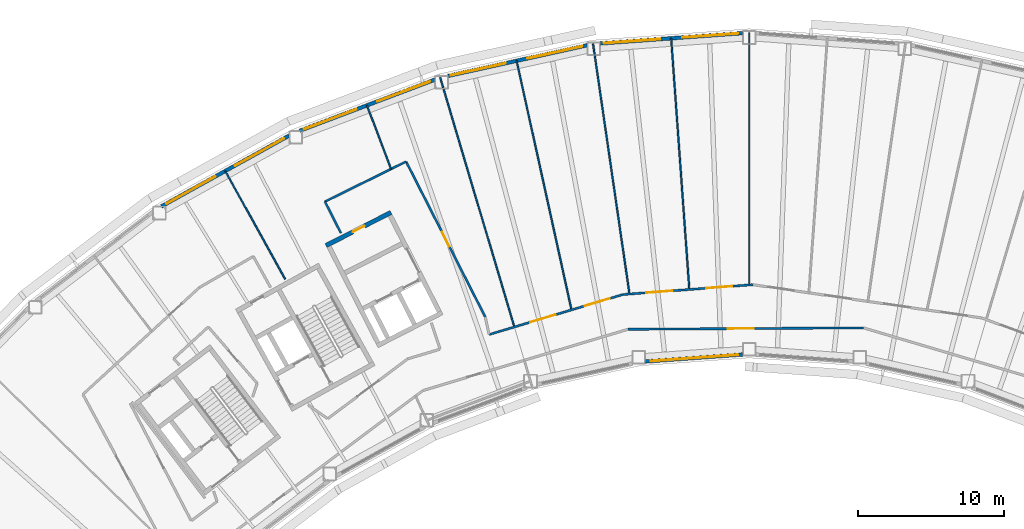
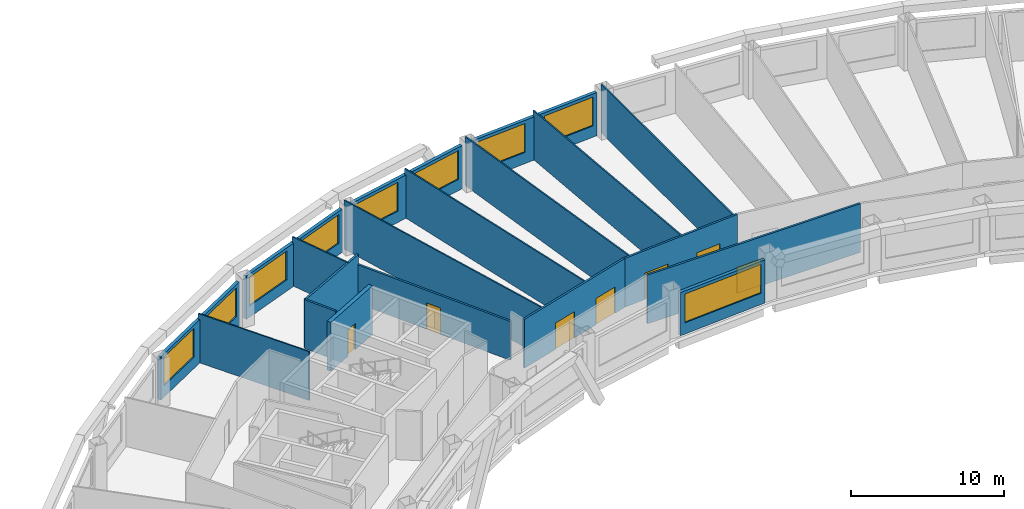
# One storey, part 7 of 16: 19 walls, 9 windows, 7 doors, 16 openings.
"""IFC4 building model written with IfcOpenShell, lengths in metres."""

from ifc_helpers import new_model, si_unit, direction, frame, frame_2d, origin, place, context, subcontext, project, spatial, rectangle, extrude, material, layer, layer_set, type_object, element, fill, save


model = new_model("IFC4")

# Units and contexts
model_context = context("Model", 3, precision=1e-05, world=origin(), true_north=direction((0.0, 1.0)))
body_context = subcontext(model_context, "Body", "Model", "MODEL_VIEW")
ifc_project = project(units=[si_unit("LENGTHUNIT", "METRE"), si_unit("AREAUNIT", "SQUARE_METRE"), si_unit("VOLUMEUNIT", "CUBIC_METRE"), si_unit("PLANEANGLEUNIT", "RADIAN"), si_unit("MASSUNIT", "GRAM", prefix="KILO")], contexts=[model_context])

# Site, building, storey
site_placement = place(None, origin())
site = spatial("IfcSite", under=ifc_project, at=site_placement, CompositionType="ELEMENT")
building_placement = place(site_placement, origin())
building = spatial("IfcBuilding", under=site, at=building_placement, Name="Tuul Gate Civic Tower", CompositionType="ELEMENT")
storey_placement = place(building_placement, frame((0.0, 0.0, 184.699951171875)))
storey = spatial("IfcBuildingStorey", under=building, at=storey_placement, Name="Level 42", CompositionType="ELEMENT", Elevation=184.699951171875)

# Wall, openings, doors
ifc_material_1 = material(Name="Gypsum board partition")
ifc_layer_1 = layer(ifc_material_1, 0.14990234375)
ifc_layer_set_1 = layer_set([ifc_layer_1], Name="Gypsum board partition")
wall_type_1 = type_object("IfcWallType", Name="Corridor wall P150", PredefinedType="PARTITIONING", material=ifc_layer_set_1)
wall_1_placement = place(storey_placement, frame((-7.660888671875, -3.9951171875, 0.0), z_axis=(0.0, 0.0, 1.0), x_axis=(0.997138593057, 0.075595146913, 0.0)))
wall_1 = element("IfcWall", 1, at=wall_1_placement, inside=storey, type_object=wall_type_1, Name="p034", PredefinedType="PARTITIONING", context=body_context, shape_type="SweptSolid", body=[
    extrude(rectangle(XDim=8.9169921875, YDim=0.14990234375, at=frame_2d((4.45849609375, 0.0))), origin(), (0.0, 0.0, 1.0), 3.900146484375),
])
opening_1_placement = place(wall_1_placement, frame((5.71875, 0.0, 0.0)))
opening_1 = element("IfcOpeningElement", 2, at=opening_1_placement, cuts=wall_1, Name="Opening O-D10", PredefinedType="OPENING", context=body_context, shape_type="SweptSolid", body=[
    extrude(rectangle(XDim=1.800048828125, YDim=2.10009765625, at=frame_2d((0.89990234375, 1.050048828125))), frame((0.0, 0.0849609375, 0.0), z_axis=(0.0, -1.0, 0.0), x_axis=(1.0, 0.0, 0.0)), (0.0, 0.0, 1.0), 0.169921875),
])
opening_2_placement = place(wall_1_placement, frame((1.60595703125, 0.0, 0.0)))
opening_2 = element("IfcOpeningElement", 3, at=opening_2_placement, cuts=wall_1, Name="Opening O-D11", PredefinedType="OPENING", context=body_context, shape_type="SweptSolid", body=[
    extrude(rectangle(XDim=1.800048828125, YDim=2.10009765625, at=frame_2d((0.89990234375, 1.050048828125))), frame((0.0, 0.0849609375, 0.0), z_axis=(0.0, -1.0, 0.0), x_axis=(1.0, 0.0, 0.0)), (0.0, 0.0, 1.0), 0.169921875),
])
ifc_material_2 = material(Name="Timber door leaf, double", Category="wood")
door_type_1 = type_object("IfcDoorType", Name="Door D18", OperationType="DOUBLE_DOOR_SINGLE_SWING", PredefinedType="DOOR", material=ifc_material_2)
door_1_placement = place(opening_1_placement, origin())
door_1 = element("IfcDoor", 4, at=door_1_placement, inside=storey, type_object=door_type_1, Name="Door O-D10", OperationType="DOUBLE_DOOR_SINGLE_SWING", OverallHeight=2.10009765625, OverallWidth=1.800048828125, PredefinedType="DOOR", context=body_context, shape_type="SweptSolid", body=[
    extrude(rectangle(XDim=1.800048828125, YDim=2.10009765625, at=frame_2d((0.89990234375, 1.050048828125))), frame((0.0, 0.02490234375, 0.0), z_axis=(0.0, -1.0, 0.0), x_axis=(1.0, 0.0, 0.0)), (0.0, 0.0, 1.0), 0.050048828125),
])
fill(opening_1, door_1)
door_2_placement = place(opening_2_placement, origin())
door_2 = element("IfcDoor", 5, at=door_2_placement, inside=storey, type_object=door_type_1, Name="Door O-D11", OperationType="DOUBLE_DOOR_SINGLE_SWING", OverallHeight=2.10009765625, OverallWidth=1.800048828125, PredefinedType="DOOR", context=body_context, shape_type="SweptSolid", body=[
    extrude(rectangle(XDim=1.800048828125, YDim=2.10009765625, at=frame_2d((0.89990234375, 1.050048828125))), frame((0.0, 0.02490234375, 0.0), z_axis=(0.0, -1.0, 0.0), x_axis=(1.0, 0.0, 0.0)), (0.0, 0.0, 1.0), 0.050048828125),
])
fill(opening_2, door_2)

wall_2_placement = place(storey_placement, frame((-16.8076171875, -6.728515625, 0.0), z_axis=(0.0, 0.0, 1.0), x_axis=(0.958123538427, 0.286355173013, 0.0)))
wall_2 = element("IfcWall", 6, at=wall_2_placement, inside=storey, type_object=wall_type_1, Name="p039", PredefinedType="PARTITIONING", context=body_context, shape_type="SweptSolid", body=[
    extrude(rectangle(XDim=9.54541015625, YDim=0.14990234375, at=frame_2d((4.772705078125, 0.0))), origin(), (0.0, 0.0, 1.0), 3.900146484375),
])
opening_3_placement = place(wall_2_placement, frame((6.807861328125, 0.0, 0.0)))
opening_3 = element("IfcOpeningElement", 7, at=opening_3_placement, cuts=wall_2, Name="Opening O-D12", PredefinedType="OPENING", context=body_context, shape_type="SweptSolid", body=[
    extrude(rectangle(XDim=1.800048828125, YDim=2.10009765625, at=frame_2d((0.89990234375, 1.050048828125))), frame((0.0, 0.0849609375, 0.0), z_axis=(0.0, -1.0, 0.0), x_axis=(1.0, 0.0, 0.0)), (0.0, 0.0, 1.0), 0.169921875),
])
opening_4_placement = place(wall_2_placement, frame((2.92724609375, 0.0, 0.0)))
opening_4 = element("IfcOpeningElement", 8, at=opening_4_placement, cuts=wall_2, Name="Opening O-D13", PredefinedType="OPENING", context=body_context, shape_type="SweptSolid", body=[
    extrude(rectangle(XDim=1.800048828125, YDim=2.10009765625, at=frame_2d((0.89990234375, 1.050048828125))), frame((0.0, 0.0849609375, 0.0), z_axis=(0.0, -1.0, 0.0), x_axis=(1.0, 0.0, 0.0)), (0.0, 0.0, 1.0), 0.169921875),
])
door_3_placement = place(opening_3_placement, origin())
door_3 = element("IfcDoor", 9, at=door_3_placement, inside=storey, type_object=door_type_1, Name="Door O-D12", OperationType="DOUBLE_DOOR_SINGLE_SWING", OverallHeight=2.10009765625, OverallWidth=1.800048828125, PredefinedType="DOOR", context=body_context, shape_type="SweptSolid", body=[
    extrude(rectangle(XDim=1.800048828125, YDim=2.10009765625, at=frame_2d((0.89990234375, 1.050048828125))), frame((0.0, 0.02490234375, 0.0), z_axis=(0.0, -1.0, 0.0), x_axis=(1.0, 0.0, 0.0)), (0.0, 0.0, 1.0), 0.050048828125),
])
fill(opening_3, door_3)
door_4_placement = place(opening_4_placement, origin())
door_4 = element("IfcDoor", 10, at=door_4_placement, inside=storey, type_object=door_type_1, Name="Door O-D13", OperationType="DOUBLE_DOOR_SINGLE_SWING", OverallHeight=2.10009765625, OverallWidth=1.800048828125, PredefinedType="DOOR", context=body_context, shape_type="SweptSolid", body=[
    extrude(rectangle(XDim=1.800048828125, YDim=2.10009765625, at=frame_2d((0.89990234375, 1.050048828125))), frame((0.0, 0.02490234375, 0.0), z_axis=(0.0, -1.0, 0.0), x_axis=(1.0, 0.0, 0.0)), (0.0, 0.0, 1.0), 0.050048828125),
])
fill(opening_4, door_4)

# Walls
wall_3_placement = place(storey_placement, frame((-28.07470703125, 2.368408203125, 0.0), z_axis=(0.0, 0.0, 1.0), x_axis=(0.896894192513, 0.442245189275, 0.0)))
element("IfcWall", 11, at=wall_3_placement, inside=storey, type_object=wall_type_1, Name="p045", PredefinedType="PARTITIONING", context=body_context, shape_type="SweptSolid", body=[
    extrude(rectangle(XDim=6.199951171875, YDim=0.14990234375, at=frame_2d((3.10009765625, 0.0))), origin(), (0.0, 0.0, 1.0), 3.900146484375),
])
wall_4_placement = place(storey_placement, frame((-28.07470703125, 2.368408203125, 0.0), z_axis=(0.0, 0.0, 1.0), x_axis=(0.454233054818, -0.890882894611, 0.0)))
element("IfcWall", 12, at=wall_4_placement, inside=storey, type_object=wall_type_1, Name="p047", PredefinedType="PARTITIONING", context=body_context, shape_type="SweptSolid", body=[
    extrude(rectangle(XDim=2.416015625, YDim=0.14990234375, at=frame_2d((1.2080078125, 0.0))), origin(), (0.0, 0.0, 1.0), 3.900146484375),
])

# Wall, opening, door
wall_5_placement = place(storey_placement, frame((-7.30419921875, -6.375, 0.0), z_axis=(0.0, 0.0, 1.0), x_axis=(0.999981363616, 0.006105114296, 0.0)))
wall_5 = element("IfcWall", 13, at=wall_5_placement, inside=storey, type_object=wall_type_1, Name="p063", PredefinedType="PARTITIONING", context=body_context, shape_type="SweptSolid", body=[
    extrude(rectangle(XDim=16.11572265625, YDim=0.14990234375, at=frame_2d((8.057861328125, 0.0))), origin(), (0.0, 0.0, 1.0), 3.900146484375),
])
opening_5_placement = place(wall_5_placement, frame((6.80810546875, 0.0, 0.0)))
opening_5 = element("IfcOpeningElement", 14, at=opening_5_placement, cuts=wall_5, Name="Opening O-D19", PredefinedType="OPENING", context=body_context, shape_type="SweptSolid", body=[
    extrude(rectangle(XDim=1.800048828125, YDim=2.10009765625, at=frame_2d((0.89990234375, 1.050048828125))), frame((0.0, 0.0849609375, 0.0), z_axis=(0.0, -1.0, 0.0), x_axis=(1.0, 0.0, 0.0)), (0.0, 0.0, 1.0), 0.169921875),
])
door_5_placement = place(opening_5_placement, frame((1.800048828125, 0.0, 0.0), z_axis=(0.0, 0.0, 1.0), x_axis=(-1.0, 0.0, 0.0)))
door_5 = element("IfcDoor", 15, at=door_5_placement, inside=storey, type_object=door_type_1, Name="Door O-D19", OperationType="DOUBLE_DOOR_SINGLE_SWING", OverallHeight=2.10009765625, OverallWidth=1.800048828125, PredefinedType="DOOR", context=body_context, shape_type="SweptSolid", body=[
    extrude(rectangle(XDim=1.800048828125, YDim=2.10009765625, at=frame_2d((0.900146484375, 1.050048828125))), frame((0.0, 0.02490234375, 0.0), z_axis=(0.0, -1.0, 0.0), x_axis=(1.0, 0.0, 0.0)), (0.0, 0.0, 1.0), 0.050048828125),
])
fill(opening_5, door_5)

ifc_material_3 = material(Name="Gypsum board partition")
ifc_layer_2 = layer(ifc_material_3, 0.14990234375)
ifc_layer_set_2 = layer_set([ifc_layer_2], Name="Gypsum board partition")
wall_type_2 = type_object("IfcWallType", Name="Corridor wall P150 3100 HIGH", PredefinedType="PARTITIONING", material=ifc_layer_set_2)
wall_6_placement = place(storey_placement, frame((-22.51318359375, 5.110107421875, 0.0), z_axis=(0.0, 0.0, 1.0), x_axis=(0.454006967755, -0.890998133124, 0.0)))
wall_6 = element("IfcWall", 16, at=wall_6_placement, inside=storey, type_object=wall_type_2, Name="p044", PredefinedType="PARTITIONING", context=body_context, shape_type="SweptSolid", body=[
    extrude(rectangle(XDim=11.9375, YDim=0.14990234375, at=frame_2d((5.96875, 0.0))), origin(), (0.0, 0.0, 1.0), 3.10009765625),
])
opening_6_placement = place(wall_6_placement, frame((5.418701171875, 0.0, 0.0)))
opening_6 = element("IfcOpeningElement", 17, at=opening_6_placement, cuts=wall_6, Name="Opening O-D14", PredefinedType="OPENING", context=body_context, shape_type="SweptSolid", body=[
    extrude(rectangle(XDim=1.10009765625, YDim=2.10009765625, at=frame_2d((0.550048828125, 1.050048828125))), frame((0.0, 0.0849609375, 0.0), z_axis=(0.0, -1.0, 0.0), x_axis=(1.0, 0.0, 0.0)), (0.0, 0.0, 1.0), 0.169921875),
])
ifc_material_4 = material(Name="Timber door leaf", Category="wood")
door_type_2 = type_object("IfcDoorType", Name="Door D11", OperationType="NOTDEFINED", PredefinedType="DOOR", material=ifc_material_4)
door_6_placement = place(opening_6_placement, origin())
door_6 = element("IfcDoor", 18, at=door_6_placement, inside=storey, type_object=door_type_2, Name="Door O-D14", OperationType="SINGLE_SWING_RIGHT", OverallHeight=2.10009765625, OverallWidth=1.10009765625, PredefinedType="DOOR", context=body_context, shape_type="SweptSolid", body=[
    extrude(rectangle(XDim=1.10009765625, YDim=2.10009765625, at=frame_2d((0.550048828125, 1.050048828125))), frame((0.0, 0.02490234375, 0.0), z_axis=(0.0, -1.0, 0.0), x_axis=(1.0, 0.0, 0.0)), (0.0, 0.0, 1.0), 0.050048828125),
])
fill(opening_6, door_6)

# Wall, openings, windows
ifc_material_5 = material(Name="Precast concrete C40/50", Category="concrete")
ifc_layer_3 = layer(ifc_material_5, 0.25)
ifc_layer_set_3 = layer_set([ifc_layer_3], Name="Precast concrete C40/50")
wall_type_3 = type_object("IfcWallType", Name="External wall", PredefinedType="STANDARD", material=ifc_layer_set_3)
wall_7_placement = place(storey_placement, frame((0.5400390625, 13.9091796875, 0.0), z_axis=(0.0, 0.0, 1.0), x_axis=(-0.997386439479, -0.072251576758, 0.0)))
wall_7 = element("IfcWall", 19, at=wall_7_placement, inside=storey, type_object=wall_type_3, Name="External wall", PredefinedType="STANDARD", context=body_context, shape_type="SweptSolid", body=[
    extrude(rectangle(XDim=9.775634765625, YDim=0.25, at=frame_2d((4.8876953125, 0.0))), origin(), (0.0, 0.0, 1.0), 3.449951171875),
])
opening_7_placement = place(wall_7_placement, frame((0.300537109375, 0.0, 0.89990234375)))
opening_7 = element("IfcOpeningElement", 20, at=opening_7_placement, cuts=wall_7, Name="Opening W22", PredefinedType="OPENING", context=body_context, shape_type="SweptSolid", body=[
    extrude(rectangle(XDim=3.85009765625, YDim=2.300048828125, at=frame_2d((1.925048828125, 1.14990234375))), frame((0.0, 0.135009765625, 0.0), z_axis=(0.0, -1.0, 0.0), x_axis=(1.0, 0.0, 0.0)), (0.0, 0.0, 1.0), 0.27001953125),
])
opening_8_placement = place(wall_7_placement, frame((5.672119140625, 0.0, 0.89990234375)))
opening_8 = element("IfcOpeningElement", 21, at=opening_8_placement, cuts=wall_7, Name="Opening W22", PredefinedType="OPENING", context=body_context, shape_type="SweptSolid", body=[
    extrude(rectangle(XDim=3.85009765625, YDim=2.300048828125, at=frame_2d((1.925048828125, 1.14990234375))), frame((0.0, 0.135009765625, 0.0), z_axis=(0.0, -1.0, 0.0), x_axis=(1.0, 0.0, 0.0)), (0.0, 0.0, 1.0), 0.27001953125),
])
ifc_material_6 = material(Name="Glass", Category="glass")
window_type_1 = type_object("IfcWindowType", Name="Window W22 3850 x 2300", PartitioningType="SINGLE_PANEL", PredefinedType="WINDOW", material=ifc_material_6)
window_1_placement = place(opening_7_placement, origin())
window_1 = element("IfcWindow", 22, at=window_1_placement, inside=storey, type_object=window_type_1, Name="Window", OverallHeight=2.300048828125, OverallWidth=3.85009765625, PartitioningType="SINGLE_PANEL", PredefinedType="WINDOW", context=body_context, shape_type="SweptSolid", body=[
    extrude(rectangle(XDim=3.85009765625, YDim=2.300048828125, at=frame_2d((1.925048828125, 1.14990234375))), frame((0.0, 0.030029296875, 0.0), z_axis=(0.0, -1.0, 0.0), x_axis=(1.0, 0.0, 0.0)), (0.0, 0.0, 1.0), 0.06005859375),
])
fill(opening_7, window_1)
window_2_placement = place(opening_8_placement, origin())
window_2 = element("IfcWindow", 23, at=window_2_placement, inside=storey, type_object=window_type_1, Name="Window", OverallHeight=2.300048828125, OverallWidth=3.85009765625, PartitioningType="SINGLE_PANEL", PredefinedType="WINDOW", context=body_context, shape_type="SweptSolid", body=[
    extrude(rectangle(XDim=3.85009765625, YDim=2.300048828125, at=frame_2d((1.925048828125, 1.14990234375))), frame((0.0, 0.030029296875, 0.0), z_axis=(0.0, -1.0, 0.0), x_axis=(1.0, 0.0, 0.0)), (0.0, 0.0, 1.0), 0.06005859375),
])
fill(opening_8, window_2)

wall_8_placement = place(storey_placement, frame((-10.110107421875, 13.078125, 0.0), z_axis=(0.0, 0.0, 1.0), x_axis=(-0.976559525993, -0.215247513789, 0.0)))
wall_8 = element("IfcWall", 24, at=wall_8_placement, inside=storey, type_object=wall_type_3, Name="External wall", PredefinedType="STANDARD", context=body_context, shape_type="SweptSolid", body=[
    extrude(rectangle(XDim=9.755615234375, YDim=0.25, at=frame_2d((4.8779296875, 0.0))), origin(), (0.0, 0.0, 1.0), 3.449951171875),
])
opening_9_placement = place(wall_8_placement, frame((0.338623046875, 0.0, 0.89990234375)))
opening_9 = element("IfcOpeningElement", 25, at=opening_9_placement, cuts=wall_8, Name="Opening W22", PredefinedType="OPENING", context=body_context, shape_type="SweptSolid", body=[
    extrude(rectangle(XDim=3.85009765625, YDim=2.300048828125, at=frame_2d((1.925048828125, 1.14990234375))), frame((0.0, 0.135009765625, 0.0), z_axis=(0.0, -1.0, 0.0), x_axis=(1.0, 0.0, 0.0)), (0.0, 0.0, 1.0), 0.27001953125),
])
opening_10_placement = place(wall_8_placement, frame((5.70947265625, 0.0, 0.89990234375)))
opening_10 = element("IfcOpeningElement", 26, at=opening_10_placement, cuts=wall_8, Name="Opening W22", PredefinedType="OPENING", context=body_context, shape_type="SweptSolid", body=[
    extrude(rectangle(XDim=3.85009765625, YDim=2.300048828125, at=frame_2d((1.925048828125, 1.14990234375))), frame((0.0, 0.135009765625, 0.0), z_axis=(0.0, -1.0, 0.0), x_axis=(1.0, 0.0, 0.0)), (0.0, 0.0, 1.0), 0.27001953125),
])
window_3_placement = place(opening_9_placement, origin())
window_3 = element("IfcWindow", 27, at=window_3_placement, inside=storey, type_object=window_type_1, Name="Window", OverallHeight=2.300048828125, OverallWidth=3.85009765625, PartitioningType="SINGLE_PANEL", PredefinedType="WINDOW", context=body_context, shape_type="SweptSolid", body=[
    extrude(rectangle(XDim=3.85009765625, YDim=2.300048828125, at=frame_2d((1.925048828125, 1.14990234375))), frame((0.0, 0.030029296875, 0.0), z_axis=(0.0, -1.0, 0.0), x_axis=(1.0, 0.0, 0.0)), (0.0, 0.0, 1.0), 0.06005859375),
])
fill(opening_9, window_3)
window_4_placement = place(opening_10_placement, origin())
window_4 = element("IfcWindow", 28, at=window_4_placement, inside=storey, type_object=window_type_1, Name="Window", OverallHeight=2.300048828125, OverallWidth=3.85009765625, PartitioningType="SINGLE_PANEL", PredefinedType="WINDOW", context=body_context, shape_type="SweptSolid", body=[
    extrude(rectangle(XDim=3.85009765625, YDim=2.300048828125, at=frame_2d((1.925048828125, 1.14990234375))), frame((0.0, 0.030029296875, 0.0), z_axis=(0.0, -1.0, 0.0), x_axis=(1.0, 0.0, 0.0)), (0.0, 0.0, 1.0), 0.06005859375),
])
fill(opening_10, window_4)

wall_9_placement = place(storey_placement, frame((-20.537109375, 10.7236328125, 0.0), z_axis=(0.0, 0.0, 1.0), x_axis=(-0.935342915264, -0.353742322694, 0.0)))
wall_9 = element("IfcWall", 29, at=wall_9_placement, inside=storey, type_object=wall_type_3, Name="External wall", PredefinedType="STANDARD", context=body_context, shape_type="SweptSolid", body=[
    extrude(rectangle(XDim=9.904541015625, YDim=0.25, at=frame_2d((4.9521484375, 0.0))), origin(), (0.0, 0.0, 1.0), 3.449951171875),
])
opening_11_placement = place(wall_9_placement, frame((0.369140625, 0.0, 0.89990234375)))
opening_11 = element("IfcOpeningElement", 30, at=opening_11_placement, cuts=wall_9, Name="Opening W22", PredefinedType="OPENING", context=body_context, shape_type="SweptSolid", body=[
    extrude(rectangle(XDim=3.85009765625, YDim=2.300048828125, at=frame_2d((1.925048828125, 1.14990234375))), frame((0.0, 0.135009765625, 0.0), z_axis=(0.0, -1.0, 0.0), x_axis=(1.0, 0.0, 0.0)), (0.0, 0.0, 1.0), 0.27001953125),
])
opening_12_placement = place(wall_9_placement, frame((5.740478515625, 0.0, 0.89990234375)))
opening_12 = element("IfcOpeningElement", 31, at=opening_12_placement, cuts=wall_9, Name="Opening W22", PredefinedType="OPENING", context=body_context, shape_type="SweptSolid", body=[
    extrude(rectangle(XDim=3.85009765625, YDim=2.300048828125, at=frame_2d((1.925048828125, 1.14990234375))), frame((0.0, 0.135009765625, 0.0), z_axis=(0.0, -1.0, 0.0), x_axis=(1.0, 0.0, 0.0)), (0.0, 0.0, 1.0), 0.27001953125),
])
window_5_placement = place(opening_11_placement, origin())
window_5 = element("IfcWindow", 32, at=window_5_placement, inside=storey, type_object=window_type_1, Name="Window", OverallHeight=2.300048828125, OverallWidth=3.85009765625, PartitioningType="SINGLE_PANEL", PredefinedType="WINDOW", context=body_context, shape_type="SweptSolid", body=[
    extrude(rectangle(XDim=3.85009765625, YDim=2.300048828125, at=frame_2d((1.925048828125, 1.14990234375))), frame((0.0, 0.030029296875, 0.0), z_axis=(0.0, -1.0, 0.0), x_axis=(1.0, 0.0, 0.0)), (0.0, 0.0, 1.0), 0.06005859375),
])
fill(opening_11, window_5)
window_6_placement = place(opening_12_placement, origin())
window_6 = element("IfcWindow", 33, at=window_6_placement, inside=storey, type_object=window_type_1, Name="Window", OverallHeight=2.300048828125, OverallWidth=3.85009765625, PartitioningType="SINGLE_PANEL", PredefinedType="WINDOW", context=body_context, shape_type="SweptSolid", body=[
    extrude(rectangle(XDim=3.85009765625, YDim=2.300048828125, at=frame_2d((1.925048828125, 1.14990234375))), frame((0.0, 0.030029296875, 0.0), z_axis=(0.0, -1.0, 0.0), x_axis=(1.0, 0.0, 0.0)), (0.0, 0.0, 1.0), 0.06005859375),
])
fill(opening_12, window_6)

wall_10_placement = place(storey_placement, frame((-30.52392578125, 6.891357421875, 0.0), z_axis=(0.0, 0.0, 1.0), x_axis=(-0.874633566806, -0.484784615903, 0.0)))
wall_10 = element("IfcWall", 34, at=wall_10_placement, inside=storey, type_object=wall_type_3, Name="External wall", PredefinedType="STANDARD", context=body_context, shape_type="SweptSolid", body=[
    extrude(rectangle(XDim=10.001220703125, YDim=0.25, at=frame_2d((5.00048828125, 0.0))), origin(), (0.0, 0.0, 1.0), 3.449951171875),
])
opening_13_placement = place(wall_10_placement, frame((0.39306640625, 0.0, 0.89990234375)))
opening_13 = element("IfcOpeningElement", 35, at=opening_13_placement, cuts=wall_10, Name="Opening W22", PredefinedType="OPENING", context=body_context, shape_type="SweptSolid", body=[
    extrude(rectangle(XDim=3.85009765625, YDim=2.300048828125, at=frame_2d((1.925048828125, 1.14990234375))), frame((0.0, 0.135009765625, 0.0), z_axis=(0.0, -1.0, 0.0), x_axis=(1.0, 0.0, 0.0)), (0.0, 0.0, 1.0), 0.27001953125),
])
opening_14_placement = place(wall_10_placement, frame((5.764404296875, 0.0, 0.89990234375)))
opening_14 = element("IfcOpeningElement", 36, at=opening_14_placement, cuts=wall_10, Name="Opening W22", PredefinedType="OPENING", context=body_context, shape_type="SweptSolid", body=[
    extrude(rectangle(XDim=3.85009765625, YDim=2.300048828125, at=frame_2d((1.925048828125, 1.14990234375))), frame((0.0, 0.135009765625, 0.0), z_axis=(0.0, -1.0, 0.0), x_axis=(1.0, 0.0, 0.0)), (0.0, 0.0, 1.0), 0.27001953125),
])
window_7_placement = place(opening_13_placement, origin())
window_7 = element("IfcWindow", 37, at=window_7_placement, inside=storey, type_object=window_type_1, Name="Window", OverallHeight=2.300048828125, OverallWidth=3.85009765625, PartitioningType="SINGLE_PANEL", PredefinedType="WINDOW", context=body_context, shape_type="SweptSolid", body=[
    extrude(rectangle(XDim=3.85009765625, YDim=2.300048828125, at=frame_2d((1.925048828125, 1.14990234375))), frame((0.0, 0.030029296875, 0.0), z_axis=(0.0, -1.0, 0.0), x_axis=(1.0, 0.0, 0.0)), (0.0, 0.0, 1.0), 0.06005859375),
])
fill(opening_13, window_7)
window_8_placement = place(opening_14_placement, origin())
window_8 = element("IfcWindow", 38, at=window_8_placement, inside=storey, type_object=window_type_1, Name="Window", OverallHeight=2.300048828125, OverallWidth=3.85009765625, PartitioningType="SINGLE_PANEL", PredefinedType="WINDOW", context=body_context, shape_type="SweptSolid", body=[
    extrude(rectangle(XDim=3.85009765625, YDim=2.300048828125, at=frame_2d((1.925048828125, 1.14990234375))), frame((0.0, 0.030029296875, 0.0), z_axis=(0.0, -1.0, 0.0), x_axis=(1.0, 0.0, 0.0)), (0.0, 0.0, 1.0), 0.06005859375),
])
fill(opening_14, window_8)

# Wall, opening, window
wall_11_placement = place(storey_placement, frame((-6.132080078125, -8.581787109375, 0.0), z_axis=(0.0, 0.0, 1.0), x_axis=(0.99738574908, 0.072261106633, 0.0)))
wall_11 = element("IfcWall", 39, at=wall_11_placement, inside=storey, type_object=wall_type_3, Name="External wall", PredefinedType="STANDARD", context=body_context, shape_type="SweptSolid", body=[
    extrude(rectangle(XDim=6.689697265625, YDim=0.25, at=frame_2d((3.3447265625, 0.0))), origin(), (0.0, 0.0, 1.0), 3.449951171875),
])
opening_15_placement = place(wall_11_placement, frame((0.3681640625, 0.0, 0.89990234375)))
opening_15 = element("IfcOpeningElement", 40, at=opening_15_placement, cuts=wall_11, Name="Opening W26", PredefinedType="OPENING", context=body_context, shape_type="SweptSolid", body=[
    extrude(rectangle(XDim=6.0, YDim=2.300048828125, at=frame_2d((3.0, 1.14990234375))), frame((0.0, 0.135009765625, 0.0), z_axis=(0.0, -1.0, 0.0), x_axis=(1.0, 0.0, 0.0)), (0.0, 0.0, 1.0), 0.27001953125),
])
ifc_material_7 = material(Name="Glass", Category="glass")
window_type_2 = type_object("IfcWindowType", Name="Window W26 6000 x 2300", PartitioningType="SINGLE_PANEL", PredefinedType="WINDOW", material=ifc_material_7)
window_9_placement = place(opening_15_placement, origin())
window_9 = element("IfcWindow", 41, at=window_9_placement, inside=storey, type_object=window_type_2, Name="Window", OverallHeight=2.300048828125, OverallWidth=6.0, PartitioningType="SINGLE_PANEL", PredefinedType="WINDOW", context=body_context, shape_type="SweptSolid", body=[
    extrude(rectangle(XDim=6.0, YDim=2.300048828125, at=frame_2d((3.0, 1.14990234375))), frame((0.0, 0.030029296875, 0.0), z_axis=(0.0, -1.0, 0.0), x_axis=(1.0, 0.0, 0.0)), (0.0, 0.0, 1.0), 0.06005859375),
])
fill(opening_15, window_9)

# Wall, opening, door
ifc_material_8 = material(Name="Concrete C40/50", Category="concrete")
ifc_layer_4 = layer(ifc_material_8, 0.300048828125)
ifc_layer_set_4 = layer_set([ifc_layer_4], Name="Concrete C40/50")
wall_type_4 = type_object("IfcWallType", Name="Lift shaft wall C40/50", PredefinedType="STANDARD", material=ifc_layer_set_4)
wall_12_placement = place(storey_placement, frame((-23.544921875, 1.62841796875, 0.0), z_axis=(0.0, 0.0, 1.0), x_axis=(-0.891002976909, -0.453997461601, 0.0)))
wall_12 = element("IfcWall", 42, at=wall_12_placement, inside=storey, type_object=wall_type_4, Name="Shaft wall", PredefinedType="STANDARD", context=body_context, shape_type="SweptSolid", body=[
    extrude(rectangle(XDim=5.0, YDim=0.300048828125, at=frame_2d((2.5, 0.0))), origin(), (0.0, 0.0, 1.0), 3.900146484375),
])
opening_16_placement = place(wall_12_placement, frame((2.050048828125, 0.0, 0.0)))
opening_16 = element("IfcOpeningElement", 43, at=opening_16_placement, cuts=wall_12, Name="Opening O-D31", PredefinedType="OPENING", context=body_context, shape_type="SweptSolid", body=[
    extrude(rectangle(XDim=0.89990234375, YDim=2.10009765625, at=frame_2d((0.449951171875, 1.050048828125))), frame((0.0, 0.16015625, 0.0), z_axis=(0.0, -1.0, 0.0), x_axis=(1.0, 0.0, 0.0)), (0.0, 0.0, 1.0), 0.320068359375),
])
ifc_material_9 = material(Name="Timber door leaf", Category="wood")
door_type_3 = type_object("IfcDoorType", Name="Door D09", OperationType="NOTDEFINED", PredefinedType="DOOR", material=ifc_material_9)
door_7_placement = place(opening_16_placement, origin())
door_7 = element("IfcDoor", 44, at=door_7_placement, inside=storey, type_object=door_type_3, Name="Door O-D31", OperationType="SINGLE_SWING_LEFT", OverallHeight=2.10009765625, OverallWidth=0.89990234375, PredefinedType="DOOR", context=body_context, shape_type="SweptSolid", body=[
    extrude(rectangle(XDim=0.89990234375, YDim=2.10009765625, at=frame_2d((0.449951171875, 1.050048828125))), frame((0.0, 0.02490234375, 0.0), z_axis=(0.0, -1.0, 0.0), x_axis=(1.0, 0.0, 0.0)), (0.0, 0.0, 1.0), 0.050048828125),
])
fill(opening_16, door_7)

# Walls
ifc_material_10 = material(Name="Gypsum board partition")
ifc_layer_5 = layer(ifc_material_10, 0.10009765625)
ifc_layer_set_5 = layer_set([ifc_layer_5], Name="Gypsum board partition")
wall_type_5 = type_object("IfcWallType", Name="Partition P100", PredefinedType="PARTITIONING", material=ifc_layer_set_5)
wall_13_placement = place(storey_placement, frame((0.989990234375, -3.33935546875, 0.0), z_axis=(0.0, 0.0, 1.0), x_axis=(0.0, 1.0, 0.0)))
element("IfcWall", 45, at=wall_13_placement, inside=storey, type_object=wall_type_5, Name="p033", PredefinedType="PARTITIONING", context=body_context, shape_type="SweptSolid", body=[
    extrude(rectangle(XDim=17.2861328125, YDim=0.10009765625, at=frame_2d((8.64306640625, 0.0))), origin(), (0.0, 0.0, 1.0), 3.900146484375),
])
wall_14_placement = place(storey_placement, frame((-4.358642578125, 13.559326171875, 0.0), z_axis=(0.0, 0.0, 1.0), x_axis=(0.072232442173, -0.997387825421, 0.0)))
element("IfcWall", 46, at=wall_14_placement, inside=storey, type_object=wall_type_5, Name="p035", PredefinedType="PARTITIONING", context=body_context, shape_type="SweptSolid", body=[
    extrude(rectangle(XDim=17.254638671875, YDim=0.10009765625, at=frame_2d((8.62744140625, 0.0))), origin(), (0.0, 0.0, 1.0), 3.900146484375),
])
wall_15_placement = place(storey_placement, frame((-9.707275390625, 13.172119140625, 0.0), z_axis=(0.0, 0.0, 1.0), x_axis=(0.144111574607, -0.98956144532, 0.0)))
element("IfcWall", 47, at=wall_15_placement, inside=storey, type_object=wall_type_5, Name="p036", PredefinedType="PARTITIONING", context=body_context, shape_type="SweptSolid", body=[
    extrude(rectangle(XDim=17.313720703125, YDim=0.10009765625, at=frame_2d((8.65673828125, 0.0))), origin(), (0.0, 0.0, 1.0), 3.900146484375),
])
wall_16_placement = place(storey_placement, frame((-14.944091796875, 12.017822265625, 0.0), z_axis=(0.0, 0.0, 1.0), x_axis=(0.21522156783, -0.976565244487, 0.0)))
element("IfcWall", 48, at=wall_16_placement, inside=storey, type_object=wall_type_5, Name="p037", PredefinedType="PARTITIONING", context=body_context, shape_type="SweptSolid", body=[
    extrude(rectangle(XDim=17.474853515625, YDim=0.10009765625, at=frame_2d((8.7373046875, 0.0))), origin(), (0.0, 0.0, 1.0), 3.900146484375),
])
wall_17_placement = place(storey_placement, frame((-20.18115234375, 10.863525390625, 0.0), z_axis=(0.0, 0.0, 1.0), x_axis=(0.285208049839, -0.958465632304, 0.0)))
element("IfcWall", 49, at=wall_17_placement, inside=storey, type_object=wall_type_5, Name="p040", PredefinedType="PARTITIONING", context=body_context, shape_type="SweptSolid", body=[
    extrude(rectangle(XDim=17.8212890625, YDim=0.10009765625, at=frame_2d((8.91064453125, 0.0))), origin(), (0.0, 0.0, 1.0), 3.900146484375),
])
wall_18_placement = place(storey_placement, frame((-25.197021484375, 8.966552734375, 0.0), z_axis=(0.0, 0.0, 1.0), x_axis=(0.353736258461, -0.935345208707, 0.0)))
element("IfcWall", 50, at=wall_18_placement, inside=storey, type_object=wall_type_5, Name="p042", PredefinedType="PARTITIONING", context=body_context, shape_type="SweptSolid", body=[
    extrude(rectangle(XDim=4.6669921875, YDim=0.10009765625, at=frame_2d((2.33349609375, 0.0))), origin(), (0.0, 0.0, 1.0), 3.900146484375),
])
wall_19_placement = place(storey_placement, frame((-34.903076171875, 4.469970703125, 0.0), z_axis=(0.0, 0.0, 1.0), x_axis=(0.484796273354, -0.874627105309, 0.0)))
element("IfcWall", 51, at=wall_19_placement, inside=storey, type_object=wall_type_5, Name="p046", PredefinedType="PARTITIONING", context=body_context, shape_type="SweptSolid", body=[
    extrude(rectangle(XDim=8.473388671875, YDim=0.10009765625, at=frame_2d((4.23681640625, 0.0))), origin(), (0.0, 0.0, 1.0), 3.900146484375),
])

save(model, "model.ifc")
